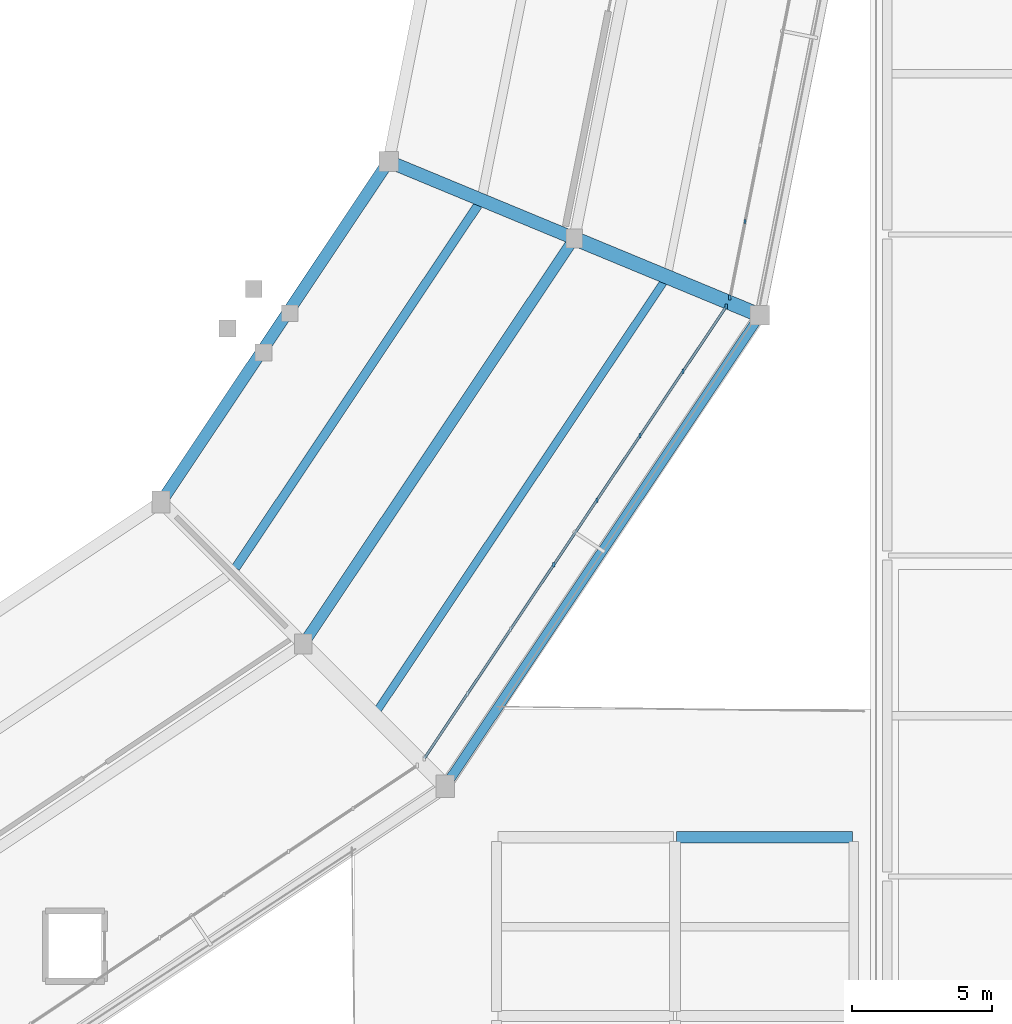
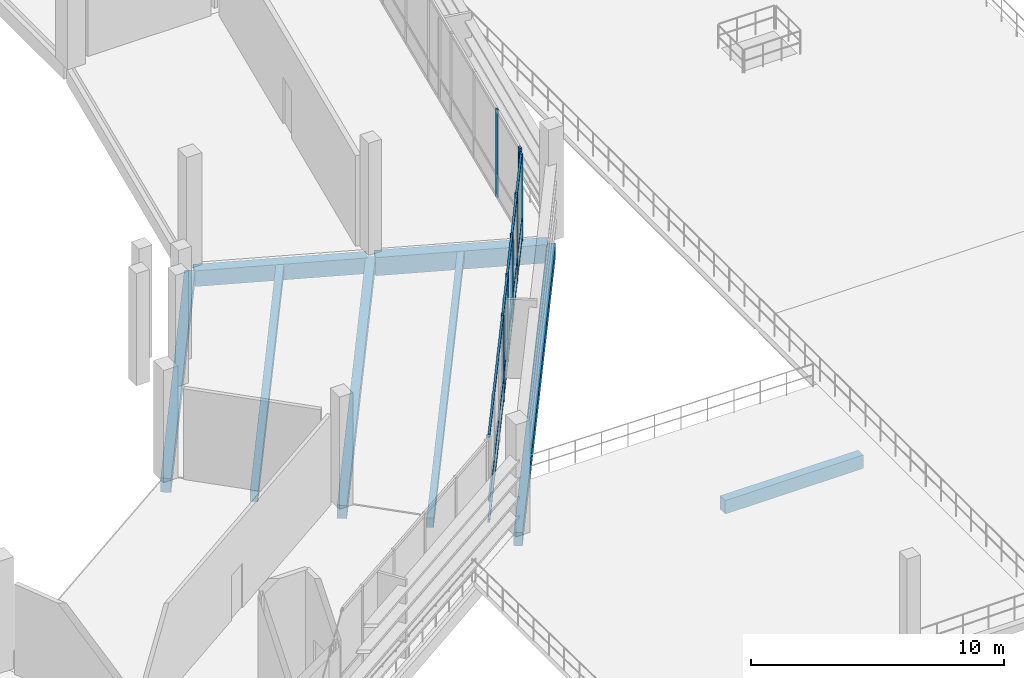
# One storey, part 37 of 111: 10 members, 8 beams, 2 elements without a shape of their own.
"""IFC4 building model written with IfcOpenShell, lengths in metres."""

import ifcopenshell
import ifcopenshell.guid

model = None  # the IFC model being written
_history = None  # IfcOwnerHistory: only IFC2X3 demands one
_inside = {}  # id of a spatial element -> (the spatial element, [elements in it])
_under = {}  # id of a project, library or spatial element -> (it, [spatial elements below it])
_declared = {}  # id of a project -> (the project, [libraries it declares])
_typed = {}  # id of a type object -> (the type object, [elements of that type])
_made_of = {}  # id of a material, layer set ... -> (it, [elements and type objects made of it])


def new_model(schema):
    """Start an empty IFC model of exactly this schema.

    Asked for "IFC4X3", IfcOpenShell would pick the latest addendum, in which some entities
    have other attributes; the version numbers below select the first issue.
    IFC2X3 requires an IfcOwnerHistory on every rooted entity: one is made here for all.
    """
    global model, _history
    if schema == "IFC4X3":
        model = ifcopenshell.file(schema_version=(4, 3, 0, 0))
    else:
        model = ifcopenshell.file(schema=schema)
    _inside.clear()
    _under.clear()
    _declared.clear()
    _typed.clear()
    _made_of.clear()
    _history = None
    if model.schema == "IFC2X3":
        org = make("IfcOrganization", Name="unknown")
        user = make(
            "IfcPersonAndOrganization",
            ThePerson=make("IfcPerson", FamilyName="unknown"),
            TheOrganization=org,
        )
        app = make(
            "IfcApplication",
            ApplicationDeveloper=org,
            Version="unknown",
            ApplicationFullName="unknown",
            ApplicationIdentifier="unknown",
        )
        _history = make(
            "IfcOwnerHistory",
            OwningUser=user,
            OwningApplication=app,
            ChangeAction="ADDED",
            CreationDate=0,
        )
    return model


def make(cls, **values):
    """One entity of the class cls with the attributes given. An attribute that is None is left unset."""
    return model.create_entity(
        cls, **{name: value for name, value in values.items() if value is not None}
    )


def rooted(cls, **values):
    """An entity with a GlobalId (a new one), such as an element, a storey or a relation."""
    return make(cls, GlobalId=ifcopenshell.guid.new(), OwnerHistory=_history, **values)


def si_unit(unit_type, name, prefix=None):
    """IfcSIUnit, for example si_unit("LENGTHUNIT", "METRE", prefix="MILLI")."""
    return make("IfcSIUnit", UnitType=unit_type, Prefix=prefix, Name=name)


def assignment(units):
    """IfcUnitAssignment: the units of a project."""
    return None if units is None else make("IfcUnitAssignment", Units=units)


def point(xyz):
    """IfcCartesianPoint."""
    return None if xyz is None else make("IfcCartesianPoint", Coordinates=xyz)


def direction(xyz):
    """IfcDirection."""
    return None if xyz is None else make("IfcDirection", DirectionRatios=xyz)


def frame(location, z_axis=None, x_axis=None):
    """IfcAxis2Placement3D, a coordinate frame: its origin and axes. An axis left out is left unset."""
    return make(
        "IfcAxis2Placement3D",
        Location=point(location),
        Axis=direction(z_axis),
        RefDirection=direction(x_axis),
    )


def frame_2d(location, x_axis=None):
    """IfcAxis2Placement2D, a coordinate frame in the plane: its origin and x axis."""
    return make(
        "IfcAxis2Placement2D", Location=point(location), RefDirection=direction(x_axis)
    )


def origin():
    """The frame at (0, 0, 0) with its axes left unset."""
    return frame((0.0, 0.0, 0.0))


def origin_2d():
    """The frame at (0, 0) in the plane with its x axis left unset."""
    return frame_2d((0.0, 0.0))


def place(relative_to, where):
    """IfcLocalPlacement: puts the frame where relative to a parent placement (None: the world)."""
    return make(
        "IfcLocalPlacement", PlacementRelTo=relative_to, RelativePlacement=where
    )


def context(
    kind, dimensions, precision=None, world=None, true_north=None, identifier=None
):
    """IfcGeometricRepresentationContext, for example the 3D "Model" context."""
    return make(
        "IfcGeometricRepresentationContext",
        ContextIdentifier=identifier,
        ContextType=kind,
        CoordinateSpaceDimension=dimensions,
        Precision=precision,
        WorldCoordinateSystem=world,
        TrueNorth=true_north,
    )


def subcontext(parent, identifier, kind, view, scale=None):
    """IfcGeometricRepresentationSubContext, for example "Body" below "Model"."""
    return make(
        "IfcGeometricRepresentationSubContext",
        ContextIdentifier=identifier,
        ContextType=kind,
        ParentContext=parent,
        TargetScale=scale,
        TargetView=view,
    )


def project(units=None, contexts=None):
    """IfcProject with its units and contexts."""
    return rooted(
        "IfcProject",
        Name="project",
        RepresentationContexts=contexts,
        UnitsInContext=assignment(units),
    )


def spatial(cls, under=None, at=None, **own):
    """A site, building, storey or space (cls), placed at a placement, below another one or the project."""
    s = rooted(cls, ObjectPlacement=at, **own)
    if under is not None:
        _under.setdefault(under.id(), (under, []))[1].append(s)
    return s


def profile(cls, at=None, kind="AREA", **sizes):
    """A parametric profile (cls). Its sizes go by their IFC names, for example OverallWidth=200.0."""
    return make(cls, ProfileType=kind, Position=at, **sizes)


def rectangle(**sizes):
    """IfcRectangleProfileDef."""
    return profile("IfcRectangleProfileDef", **sizes)


def extrude(swept, where, along, depth):
    """IfcExtrudedAreaSolid: the profile swept, set in the frame where, extruded along a direction by depth."""
    return make(
        "IfcExtrudedAreaSolid",
        SweptArea=swept,
        Position=where,
        ExtrudedDirection=direction(along),
        Depth=depth,
    )


def shape(context_of_items, identifier, shape_type, items):
    """IfcShapeRepresentation: the items that make up one representation, for example the "Body"."""
    return make(
        "IfcShapeRepresentation",
        ContextOfItems=context_of_items,
        RepresentationIdentifier=identifier,
        RepresentationType=shape_type,
        Items=items,
    )


def material(Name=None, Category=None):
    """IfcMaterial."""
    return make("IfcMaterial", Name=Name, Category=Category)


def material_profile(
    of_material, cross_section, Name=None, Category=None, Priority=None
):
    """IfcMaterialProfile: a cross section and its material."""
    return make(
        "IfcMaterialProfile",
        Name=Name,
        Material=of_material,
        Profile=cross_section,
        Priority=Priority,
        Category=Category,
    )


def profile_set(profiles, Name=None, composite=None):
    """IfcMaterialProfileSet."""
    return make(
        "IfcMaterialProfileSet",
        Name=Name,
        MaterialProfiles=profiles,
        CompositeProfile=composite,
    )


def made_of(thing, what):
    """Note that an element or type object is made of a material, layer set ...; save() writes the relation."""
    if what is not None:
        _made_of.setdefault(what.id(), (what, []))[1].append(thing)
    return thing


def type_object(cls, material=None, **own):
    """A type object (cls), such as IfcWallType, which elements share."""
    return made_of(rooted(cls, **own), material)


def element(
    cls,
    number,
    at=None,
    inside=None,
    cuts=None,
    type_object=None,
    material=None,
    context=None,
    identifier="Body",
    shape_type=None,
    held_by="IfcProductDefinitionShape",
    body=None,
    shapes=None,
    **own,
):
    """One element of the class cls, such as IfcWall. Its Tag is "e" and its number.

    at: its placement. inside: the storey or other place that contains it. cuts: it is an
    opening in that element (IfcRelVoidsElement). A single representation is given by context,
    identifier, shape_type and body (its items); several are given by shapes. held_by: the class
    of the entity that holds the representations. save() writes the other relations.
    """
    e = rooted(cls, Tag="e%d" % number, ObjectPlacement=at, **own)
    if body is not None:
        shapes = [shape(context, identifier, shape_type, body)]
    if shapes is not None:
        e.Representation = make(held_by, Representations=shapes)
    if inside is not None:
        _inside.setdefault(inside.id(), (inside, []))[1].append(e)
    if cuts is not None:
        rooted(
            "IfcRelVoidsElement", RelatingBuildingElement=cuts, RelatedOpeningElement=e
        )
    if type_object is not None:
        _typed.setdefault(type_object.id(), (type_object, []))[1].append(e)
    return made_of(e, material)


def aggregate(whole, parts):
    """IfcRelAggregates: a whole, such as a stair, and the parts it consists of."""
    return rooted("IfcRelAggregates", RelatingObject=whole, RelatedObjects=parts)


def save(model, path):
    """Write the relations noted so far, then the file.

    IfcRelAggregates (storeys below a building ...), IfcRelContainedInSpatialStructure (elements
    in a storey), IfcRelDefinesByType, IfcRelAssociatesMaterial and IfcRelDeclares: one each for
    every whole, place, type object, material and project.
    """
    for whole, parts in _under.values():
        aggregate(whole, parts)
    for where, things in _inside.values():
        rooted(
            "IfcRelContainedInSpatialStructure",
            RelatedElements=things,
            RelatingStructure=where,
        )
    for kind, things in _typed.values():
        rooted("IfcRelDefinesByType", RelatedObjects=things, RelatingType=kind)
    for what, things in _made_of.values():
        rooted("IfcRelAssociatesMaterial", RelatedObjects=things, RelatingMaterial=what)
    for by, libraries in _declared.values():
        rooted("IfcRelDeclares", RelatingContext=by, RelatedDefinitions=libraries)
    model.write(path)


model = new_model("IFC4")

# Units and contexts
model_context = context("Model", 3, precision=1e-05, world=origin(), true_north=direction((0.0, 1.0)))
body_context = subcontext(model_context, "Body", "Model", "MODEL_VIEW")
ifc_project = project(units=[si_unit("LENGTHUNIT", "METRE"), si_unit("AREAUNIT", "SQUARE_METRE"), si_unit("VOLUMEUNIT", "CUBIC_METRE"), si_unit("PLANEANGLEUNIT", "RADIAN"), si_unit("MASSUNIT", "GRAM", prefix="KILO")], contexts=[model_context])

# Site, building, storey
site_placement = place(None, origin())
site = spatial("IfcSite", under=ifc_project, at=site_placement, CompositionType="ELEMENT")
building_placement = place(site_placement, origin())
building = spatial("IfcBuilding", under=site, at=building_placement, Name="Candeia Ridge Stadium", CompositionType="ELEMENT")
storey_placement = place(building_placement, frame((0.0, 0.0, 16.199951171875)))
storey = spatial("IfcBuildingStorey", under=building, at=storey_placement, Name="L03", CompositionType="ELEMENT", Elevation=16.199951171875)

# Curtain wall, member
ifc_material_1 = material(Name="Aluminium Anodized Warm Bronze", Category="aluminium")
curtain_wall_type = type_object("IfcCurtainWallType", Name="Concourse Recessed Unitised Curtain Wall", PredefinedType="NOTDEFINED", material=ifc_material_1)
curtain_wall_1_placement = place(storey_placement, origin())
curtain_wall_1 = element("IfcCurtainWall", 1, at=curtain_wall_1_placement, inside=storey, type_object=curtain_wall_type, Name="Unitised curtain wall CW-BWL-L03-27", PredefinedType="NOTDEFINED")
ifc_material_profile_1 = material_profile(ifc_material_1, rectangle(XDim=0.090087890625, YDim=0.179931640625, at=origin_2d()), Name="CWM-90x180", Category="aluminium")
ifc_profile_set_1 = profile_set([ifc_material_profile_1], Name="Aluminium Anodized Warm Bronze")
member_type_1 = type_object("IfcMemberType", Name="Curtain Wall Primary Mullion 90x180", PredefinedType="MULLION", material=ifc_profile_set_1)
member_1_placement = place(storey_placement, frame((187.8330078125, 51.409912109375, 0.0), z_axis=(0.0, 0.0, 1.0), x_axis=(1.0, 0.0, 0.0)))
member_1 = element("IfcMember", 2, at=member_1_placement, type_object=member_type_1, Name="Curtain wall mullion CW-BWL-L03-27-M7", PredefinedType="MULLION", context=body_context, shape_type="SweptSolid", body=[
    extrude(rectangle(XDim=0.090087890625, YDim=0.179931640625, at=origin_2d()), origin(), (0.0, 0.0, 1.0), 4.205078125),
])

curtain_wall_2_placement = place(storey_placement, origin())
curtain_wall_2 = element("IfcCurtainWall", 3, at=curtain_wall_2_placement, inside=storey, type_object=curtain_wall_type, Name="Unitised curtain wall CW-BWL-L03-28", PredefinedType="NOTDEFINED")
member_2_placement = place(storey_placement, frame((187.96826171875, 51.736083984375, 0.0), z_axis=(0.0, 0.0, 1.0), x_axis=(1.0, 0.0, 0.0)))
member_2 = element("IfcMember", 4, at=member_2_placement, type_object=member_type_1, Name="Curtain wall mullion CW-BWL-L03-28-M0", PredefinedType="MULLION", context=body_context, shape_type="SweptSolid", body=[
    extrude(rectangle(XDim=0.090087890625, YDim=0.179931640625, at=origin_2d()), origin(), (0.0, 0.0, 1.0), 4.2451171875),
])

# Member
ifc_material_profile_2 = material_profile(ifc_material_1, rectangle(XDim=0.074951171875, YDim=0.14990234375, at=origin_2d()), Name="CWM-75x150", Category="aluminium")
ifc_profile_set_2 = profile_set([ifc_material_profile_2], Name="Aluminium Anodized Warm Bronze")
member_type_2 = type_object("IfcMemberType", Name="Curtain Wall Secondary Mullion 75x150", PredefinedType="MULLION", material=ifc_profile_set_2)
member_3_placement = place(storey_placement, frame((181.65478515625, 42.16357421875, 0.0), z_axis=(0.0, 0.0, 1.0), x_axis=(1.0, 0.0, 0.0)))
member_3 = element("IfcMember", 5, at=member_3_placement, type_object=member_type_2, Name="Curtain wall mullion CW-BWL-L03-27-M3", PredefinedType="MULLION", context=body_context, shape_type="SweptSolid", body=[
    extrude(rectangle(XDim=0.074951171875, YDim=0.14990234375, at=origin_2d()), origin(), (0.0, 0.0, 1.0), 4.205078125),
])

member_4_placement = place(storey_placement, frame((183.19921875, 44.47509765625, 0.0), z_axis=(0.0, 0.0, 1.0), x_axis=(1.0, 0.0, 0.0)))
member_4 = element("IfcMember", 6, at=member_4_placement, type_object=member_type_2, Name="Curtain wall mullion CW-BWL-L03-27-M4", PredefinedType="MULLION", context=body_context, shape_type="SweptSolid", body=[
    extrude(rectangle(XDim=0.074951171875, YDim=0.14990234375, at=origin_2d()), origin(), (0.0, 0.0, 1.0), 4.205078125),
])

member_5_placement = place(storey_placement, frame((184.743896484375, 46.78662109375, 0.0), z_axis=(0.0, 0.0, 1.0), x_axis=(1.0, 0.0, 0.0)))
member_5 = element("IfcMember", 7, at=member_5_placement, type_object=member_type_2, Name="Curtain wall mullion CW-BWL-L03-27-M5", PredefinedType="MULLION", context=body_context, shape_type="SweptSolid", body=[
    extrude(rectangle(XDim=0.074951171875, YDim=0.14990234375, at=origin_2d()), origin(), (0.0, 0.0, 1.0), 4.205078125),
])

member_6_placement = place(storey_placement, frame((186.28857421875, 49.098388671875, 0.0), z_axis=(0.0, 0.0, 1.0), x_axis=(1.0, 0.0, 0.0)))
member_6 = element("IfcMember", 8, at=member_6_placement, type_object=member_type_2, Name="Curtain wall mullion CW-BWL-L03-27-M6", PredefinedType="MULLION", context=body_context, shape_type="SweptSolid", body=[
    extrude(rectangle(XDim=0.074951171875, YDim=0.14990234375, at=origin_2d()), origin(), (0.0, 0.0, 1.0), 4.205078125),
])

member_7_placement = place(storey_placement, frame((188.510498046875, 54.462890625, 0.0), z_axis=(0.0, 0.0, 1.0), x_axis=(1.0, 0.0, 0.0)))
member_7 = element("IfcMember", 9, at=member_7_placement, type_object=member_type_2, Name="Curtain wall mullion CW-BWL-L03-28-M1", PredefinedType="MULLION", context=body_context, shape_type="SweptSolid", body=[
    extrude(rectangle(XDim=0.074951171875, YDim=0.14990234375, at=origin_2d()), origin(), (0.0, 0.0, 1.0), 4.2451171875),
])

aggregate(curtain_wall_2, [member_2, member_7])

ifc_material_profile_3 = material_profile(ifc_material_1, rectangle(XDim=0.074951171875, YDim=0.110107421875, at=origin_2d()), Name="CWT-75x110", Category="aluminium")
ifc_profile_set_3 = profile_set([ifc_material_profile_3], Name="Aluminium Anodized Warm Bronze")
member_type_3 = type_object("IfcMemberType", Name="Curtain Wall Secondary Transom 75x110", PredefinedType="USERDEFINED", material=ifc_profile_set_3)
member_8_placement = place(storey_placement, frame((177.02099609375, 35.228515625, 1.05126953125), z_axis=(0.555568394863, 0.831470840517, 0.0), x_axis=(-0.831470840517, 0.555568394863, 0.0)))
member_8 = element("IfcMember", 10, at=member_8_placement, type_object=member_type_3, Name="Curtain wall transom CW-BWL-L03-27-T1", ObjectType="TRANSOM", PredefinedType="USERDEFINED", context=body_context, shape_type="SweptSolid", body=[
    extrude(rectangle(XDim=0.074951171875, YDim=0.110107421875, at=origin_2d()), origin(), (0.0, 0.0, 1.0), 19.461181640625),
])

ifc_material_profile_4 = material_profile(ifc_material_1, rectangle(XDim=0.090087890625, YDim=0.139892578125, at=origin_2d()), Name="CWT-90x140", Category="aluminium")
ifc_profile_set_4 = profile_set([ifc_material_profile_4], Name="Aluminium Anodized Warm Bronze")
member_type_4 = type_object("IfcMemberType", Name="Curtain Wall Transom 90x140", PredefinedType="USERDEFINED", material=ifc_profile_set_4)
member_9_placement = place(storey_placement, frame((177.02099609375, 35.228515625, 0.070068359375), z_axis=(0.555568394863, 0.831470840517, 0.0), x_axis=(-0.831470840517, 0.555568394863, 0.0)))
member_9 = element("IfcMember", 11, at=member_9_placement, type_object=member_type_4, Name="Curtain wall transom CW-BWL-L03-27-T0", ObjectType="TRANSOM", PredefinedType="USERDEFINED", context=body_context, shape_type="SweptSolid", body=[
    extrude(rectangle(XDim=0.090087890625, YDim=0.139892578125, at=origin_2d()), origin(), (0.0, 0.0, 1.0), 19.461181640625),
])

member_10_placement = place(storey_placement, frame((177.02099609375, 35.228515625, 4.135009765625), z_axis=(0.555568394863, 0.831470840517, 0.0), x_axis=(-0.831470840517, 0.555568394863, 0.0)))
member_10 = element("IfcMember", 12, at=member_10_placement, type_object=member_type_4, Name="Curtain wall transom CW-BWL-L03-27-T2", ObjectType="TRANSOM", PredefinedType="USERDEFINED", context=body_context, shape_type="SweptSolid", body=[
    extrude(rectangle(XDim=0.090087890625, YDim=0.139892578125, at=origin_2d()), origin(), (0.0, 0.0, 1.0), 19.461181640625),
])

aggregate(curtain_wall_1, [member_3, member_4, member_5, member_6, member_1, member_9, member_8, member_10])

# Beams
ifc_material_2 = material(Name="Concrete C40/50", Category="concrete")
ifc_material_profile_5 = material_profile(ifc_material_2, rectangle(XDim=0.280029296875, YDim=0.4599609375, at=origin_2d()), Name="RC280x460", Category="concrete")
ifc_profile_set_5 = profile_set([ifc_material_profile_5], Name="Concrete C40/50")
beam_type_1 = type_object("IfcBeamType", Name="Floor Joist RC280x460", PredefinedType="JOIST", material=ifc_profile_set_5)
beam_1_placement = place(storey_placement, frame((175.347412109375, 36.960693359375, -0.47998046875), z_axis=(0.555573683674, 0.831467306639, 0.0), x_axis=(-0.831467306639, 0.555573683674, 0.0)))
element("IfcBeam", 13, at=beam_1_placement, inside=storey, type_object=beam_type_1, Name="Concourse secondary joist BM-L03-0681", PredefinedType="JOIST", context=body_context, shape_type="SweptSolid", body=[
    extrude(rectangle(XDim=0.280029296875, YDim=0.4599609375, at=origin_2d()), origin(), (0.0, 0.0, 1.0), 18.440673828125),
])
ifc_material_profile_6 = material_profile(ifc_material_2, rectangle(XDim=0.320068359375, YDim=0.52001953125, at=origin_2d()), Name="RC320x520", Category="concrete")
ifc_profile_set_6 = profile_set([ifc_material_profile_6], Name="Concrete C40/50")
beam_type_2 = type_object("IfcBeamType", Name="Floor Joist RC320x520", PredefinedType="JOIST", material=ifc_profile_set_6)
beam_2_placement = place(storey_placement, frame((170.256103515625, 42.0517578125, -0.510009765625), z_axis=(0.555568527312, 0.831470752017, 0.0), x_axis=(-0.831470752017, 0.555568527312, 0.0)))
element("IfcBeam", 14, at=beam_2_placement, inside=storey, type_object=beam_type_2, Name="Concourse secondary joist BM-L03-0680", PredefinedType="JOIST", context=body_context, shape_type="SweptSolid", body=[
    extrude(rectangle(XDim=0.320068359375, YDim=0.52001953125, at=origin_2d()), origin(), (0.0, 0.0, 1.0), 15.63134765625),
])
ifc_material_profile_7 = material_profile(ifc_material_2, rectangle(XDim=0.389892578125, YDim=0.639892578125, at=origin_2d()), Name="RC390x640", Category="concrete")
ifc_profile_set_7 = profile_set([ifc_material_profile_7], Name="Concrete C40/50")
beam_type_3 = type_object("IfcBeamType", Name="Frame Girder RC390x640", PredefinedType="BEAM", material=ifc_profile_set_7)
beam_3_placement = place(storey_placement, frame((172.767333984375, 39.45458984375, -0.570068359375), z_axis=(0.555573223542, 0.831467614091, 0.0), x_axis=(-0.831467614091, 0.555573223542, 0.0)))
element("IfcBeam", 15, at=beam_3_placement, inside=storey, type_object=beam_type_3, Name="Concourse spine girder BM-L03-0678", PredefinedType="BEAM", context=body_context, shape_type="SweptSolid", body=[
    extrude(rectangle(XDim=0.389892578125, YDim=0.639892578125, at=origin_2d()), origin(), (0.0, 0.0, 1.0), 17.16015625),
])
ifc_material_profile_8 = material_profile(ifc_material_2, rectangle(XDim=0.419921875, YDim=0.679931640625, at=origin_2d()), Name="RC420x680", Category="concrete")
ifc_profile_set_8 = profile_set([ifc_material_profile_8], Name="Concrete C40/50")
beam_type_4 = type_object("IfcBeamType", Name="Frame Girder RC420x680", PredefinedType="BEAM", material=ifc_profile_set_8)
beam_4_placement = place(storey_placement, frame((167.676025390625, 44.5458984375, -0.58984375), z_axis=(0.55557537569, 0.831466176057, 0.0), x_axis=(-0.831466176057, 0.55557537569, 0.0)))
element("IfcBeam", 16, at=beam_4_placement, inside=storey, type_object=beam_type_4, Name="Bowl inner ring girder BM-L03-0677", PredefinedType="BEAM", context=body_context, shape_type="SweptSolid", body=[
    extrude(rectangle(XDim=0.419921875, YDim=0.679931640625, at=origin_2d()), origin(), (0.0, 0.0, 1.0), 14.350830078125),
])
ifc_material_profile_9 = material_profile(ifc_material_2, rectangle(XDim=0.469970703125, YDim=0.760009765625, at=origin_2d()), Name="RC470x760", Category="concrete")
ifc_profile_set_9 = profile_set([ifc_material_profile_9], Name="Concrete C40/50")
beam_type_5 = type_object("IfcBeamType", Name="Frame Girder RC470x760", PredefinedType="BEAM", material=ifc_profile_set_9)
beam_5_placement = place(storey_placement, frame((175.8857421875, 56.5498046875, -0.6298828125), z_axis=(0.923880161031, -0.382681914982, 0.0), x_axis=(0.382681914982, 0.923880161031, 0.0)))
element("IfcBeam", 17, at=beam_5_placement, inside=storey, type_object=beam_type_5, Name="Bowl radial girder BM-L03-0537", PredefinedType="BEAM", context=body_context, shape_type="SweptSolid", body=[
    extrude(rectangle(XDim=0.469970703125, YDim=0.760009765625, at=origin_2d()), origin(), (0.0, 0.0, 1.0), 6.8798828125),
])
ifc_material_3 = material(Name="Concrete C45/55", Category="concrete")
ifc_material_profile_10 = material_profile(ifc_material_3, rectangle(XDim=0.52001953125, YDim=0.8798828125, at=origin_2d()), Name="RC520x880", Category="concrete")
ifc_profile_set_10 = profile_set([ifc_material_profile_10], Name="Concrete C45/55")
beam_type_6 = type_object("IfcBeamType", Name="Frame Girder RC520x880", PredefinedType="BEAM", material=ifc_profile_set_10)
beam_6_placement = place(storey_placement, frame((182.53759765625, 53.79443359375, -0.68994140625), z_axis=(0.923880161031, -0.382681914982, 0.0), x_axis=(0.382681914982, 0.923880161031, 0.0)))
element("IfcBeam", 18, at=beam_6_placement, inside=storey, type_object=beam_type_6, Name="Bowl radial girder BM-L03-0538", PredefinedType="BEAM", context=body_context, shape_type="SweptSolid", body=[
    extrude(rectangle(XDim=0.52001953125, YDim=0.8798828125, at=origin_2d()), origin(), (0.0, 0.0, 1.0), 6.8798828125),
])
ifc_material_profile_11 = material_profile(ifc_material_2, rectangle(XDim=0.35009765625, YDim=0.64990234375, at=origin_2d()), Name="RC350x650", Category="concrete")
ifc_profile_set_11 = profile_set([ifc_material_profile_11], Name="Concrete C40/50")
beam_type_7 = type_object("IfcBeamType", Name="Spandrel Beam RC350x650", PredefinedType="SPANDREL", material=ifc_profile_set_11)
beam_7_placement = place(storey_placement, frame((177.8583984375, 34.363525390625, -0.574951171875), z_axis=(0.555571676938, 0.831468647505, 0.0), x_axis=(-0.831468647505, 0.555571676938, 0.0)))
element("IfcBeam", 19, at=beam_7_placement, inside=storey, type_object=beam_type_7, Name="Bowl perimeter spandrel BM-L03-0679", PredefinedType="SPANDREL", context=body_context, shape_type="SweptSolid", body=[
    extrude(rectangle(XDim=0.35009765625, YDim=0.64990234375, at=origin_2d()), origin(), (0.0, 0.0, 1.0), 19.969482421875),
])
ifc_material_profile_12 = material_profile(ifc_material_2, rectangle(XDim=0.39990234375, YDim=0.64990234375, at=origin_2d()), Name="RC400x650", Category="concrete")
ifc_profile_set_12 = profile_set([ifc_material_profile_12], Name="Concrete C40/50")
beam_type_8 = type_object("IfcBeamType", Name="Wing Primary Girder RC400x650", PredefinedType="BEAM", material=ifc_profile_set_12)
beam_8_placement = place(storey_placement, frame((186.050048828125, 32.39990234375, -0.60498046875), z_axis=(1.0, 0.0, 0.0), x_axis=(0.0, 1.0, 0.0)))
element("IfcBeam", 20, at=beam_8_placement, inside=storey, type_object=beam_type_8, Name="Structural girder BM-L03-2431", PredefinedType="BEAM", context=body_context, shape_type="SweptSolid", body=[
    extrude(rectangle(XDim=0.39990234375, YDim=0.64990234375, at=origin_2d()), origin(), (0.0, 0.0, 1.0), 6.300048828125),
])

save(model, "model.ifc")
